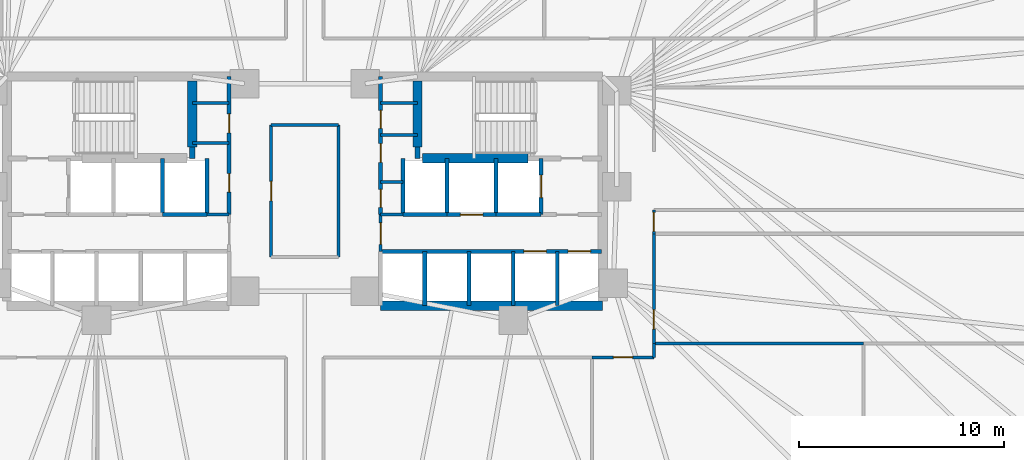
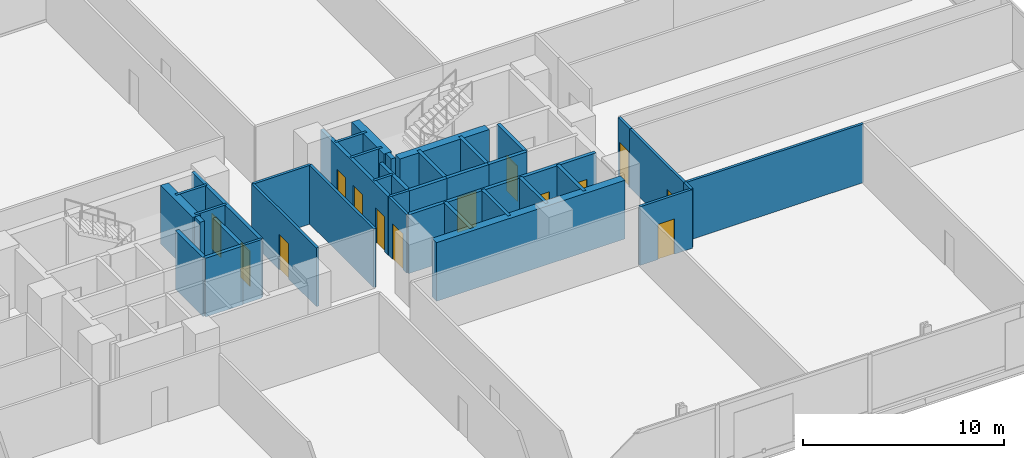
# One storey, part 13 of 17: 39 walls, 14 doors, 14 openings.
"""IFC4 building model written with IfcOpenShell, lengths in metres."""

from ifc_helpers import new_model, si_unit, direction, frame, frame_2d, origin, place, context, subcontext, project, spatial, rectangle, extrude, material, layer, layer_set, type_object, element, fill, save


model = new_model("IFC4")

# Units and contexts
model_context = context("Model", 3, precision=1e-05, world=origin(), true_north=direction((0.0, 1.0)))
body_context = subcontext(model_context, "Body", "Model", "MODEL_VIEW")
ifc_project = project(units=[si_unit("LENGTHUNIT", "METRE"), si_unit("AREAUNIT", "SQUARE_METRE"), si_unit("VOLUMEUNIT", "CUBIC_METRE"), si_unit("PLANEANGLEUNIT", "RADIAN"), si_unit("MASSUNIT", "GRAM", prefix="KILO")], contexts=[model_context])

# Site, building, storey
site_placement = place(None, origin())
site = spatial("IfcSite", under=ifc_project, at=site_placement, CompositionType="ELEMENT")
building_placement = place(site_placement, origin())
building = spatial("IfcBuilding", under=site, at=building_placement, Name="Menara Jurai Vektor", CompositionType="ELEMENT")
storey_placement = place(building_placement, frame((0.0, 0.0, 18.0)))
storey = spatial("IfcBuildingStorey", under=building, at=storey_placement, Name="L03", CompositionType="ELEMENT", Elevation=18.0)

# Walls
ifc_material_1 = material(Name="Concrete C40/50", Category="concrete")
ifc_layer_1 = layer(ifc_material_1, 0.25)
ifc_layer_set_1 = layer_set([ifc_layer_1], Name="Concrete C40/50")
wall_type_1 = type_object("IfcWallType", Name="INT-WALL-CORE-250", PredefinedType="STANDARD", material=ifc_layer_set_1)
for number, where, z_axis, x_axis, name in (
    (1, (-5.5, 1.60009765625, 0.0), (0.0, 0.0, 1.0), (0.0, 1.0, 0.0), "Interior Wall IW-250 L03"),
    (2, (5.5, 1.60009765625, 0.0), (0.0, 0.0, 1.0), (0.0, 1.0, 0.0), "Interior Wall IW-250 L03"),
):
    element("IfcWall", number, at=place(storey_placement, frame(where, z_axis=z_axis, x_axis=x_axis)), inside=storey, type_object=wall_type_1, Name=name, PredefinedType="STANDARD", context=body_context, shape_type="SweptSolid", body=[
        extrude(rectangle(XDim=0.5498046875, YDim=0.25, at=frame_2d((0.27490234375, 0.0))), origin(), (0.0, 0.0, 1.0), 3.574951171875),
    ])

# Wall, opening, door
wall_1_placement = place(storey_placement, frame((11.550048828125, -1.14990234375, 0.0), z_axis=(0.0, 0.0, 1.0), x_axis=(0.0, 1.0, 0.0)))
wall_1 = element("IfcWall", 3, at=wall_1_placement, inside=storey, type_object=wall_type_1, Name="Interior Wall IW-250 L03", PredefinedType="STANDARD", context=body_context, shape_type="SweptSolid", body=[
    extrude(rectangle(XDim=2.75, YDim=0.199951171875, at=frame_2d((1.375, 0.0))), origin(), (0.0, 0.0, 1.0), 3.574951171875),
])
opening_1_placement = place(wall_1_placement, frame((0.824951171875, 0.0, 0.0)))
opening_1 = element("IfcOpeningElement", 4, at=opening_1_placement, cuts=wall_1, Name="Opening LD-L03-FL2", PredefinedType="OPENING", context=body_context, shape_type="SweptSolid", body=[
    extrude(rectangle(XDim=1.10009765625, YDim=2.14990234375, at=frame_2d((0.550048828125, 1.074951171875))), frame((0.0, 0.10986328125, 0.0), z_axis=(0.0, -1.0, 0.0), x_axis=(1.0, 0.0, 0.0)), (0.0, 0.0, 1.0), 0.219970703125),
])
ifc_material_2 = material(Name="Stainless Steel Sliding Lift Landing Door", Category="steel")
door_type_1 = type_object("IfcDoorType", Name="DR-LIFT-FIRE-1100", OperationType="NOTDEFINED", PredefinedType="DOOR", material=ifc_material_2)
door_1_placement = place(opening_1_placement, origin())
door_1 = element("IfcDoor", 5, at=door_1_placement, inside=storey, type_object=door_type_1, Name="Lift Landing Door FL2 L03", OperationType="SLIDING_TO_RIGHT", OverallHeight=2.14990234375, OverallWidth=1.10009765625, PredefinedType="DOOR", context=body_context, shape_type="SweptSolid", body=[
    extrude(rectangle(XDim=1.10009765625, YDim=2.14990234375, at=frame_2d((0.550048828125, 1.074951171875))), frame((0.0, 0.02490234375, 0.0), z_axis=(0.0, -1.0, 0.0), x_axis=(1.0, 0.0, 0.0)), (0.0, 0.0, 1.0), 0.050048828125),
])
fill(opening_1, door_1)

# Walls
wall_2_placement = place(storey_placement, frame((9.35009765625, -1.14990234375, 0.0), z_axis=(0.0, 0.0, 1.0), x_axis=(0.0, 1.0, 0.0)))
element("IfcWall", 6, at=wall_2_placement, inside=storey, type_object=wall_type_1, Name="Interior Wall IW-250 L03", PredefinedType="STANDARD", context=body_context, shape_type="SweptSolid", body=[
    extrude(rectangle(XDim=2.75, YDim=0.199951171875, at=frame_2d((1.375, 0.0))), origin(), (0.0, 0.0, 1.0), 3.574951171875),
])
wall_3_placement = place(storey_placement, frame((9.35009765625, -1.14990234375, 0.0), z_axis=(0.0, 0.0, 1.0), x_axis=(1.0, 0.0, 0.0)))
element("IfcWall", 7, at=wall_3_placement, inside=storey, type_object=wall_type_1, Name="Interior Wall IW-250 L03", PredefinedType="STANDARD", context=body_context, shape_type="SweptSolid", body=[
    extrude(rectangle(XDim=2.199951171875, YDim=0.199951171875, at=frame_2d((1.10009765625, 0.0))), origin(), (0.0, 0.0, 1.0), 3.574951171875),
])
ifc_material_3 = material(Name="Gypsum Fireboard Partition", Category="gypsum")
ifc_layer_2 = layer(ifc_material_3, 0.14990234375)
ifc_layer_set_2 = layer_set([ifc_layer_2], Name="Gypsum Fireboard Partition")
wall_type_2 = type_object("IfcWallType", Name="INT-WALL-CORR-150", PredefinedType="PARTITIONING", material=ifc_layer_set_2)
wall_4_placement = place(storey_placement, frame((-4.7900390625, -1.14990234375, 0.0), z_axis=(0.0, 0.0, 1.0), x_axis=(1.0, 0.0, 0.0)))
element("IfcWall", 8, at=wall_4_placement, inside=storey, type_object=wall_type_2, Name="Interior Wall IW-150 L03", PredefinedType="PARTITIONING", context=body_context, shape_type="SweptSolid", body=[
    extrude(rectangle(XDim=1.090087890625, YDim=0.14990234375, at=frame_2d((0.544921875, 0.0))), origin(), (0.0, 0.0, 1.0), 3.574951171875),
])

# Wall, opening, door
wall_5_placement = place(storey_placement, frame((3.699951171875, -2.949951171875, 0.0), z_axis=(0.0, 0.0, 1.0), x_axis=(0.0, 1.0, 0.0)))
wall_5 = element("IfcWall", 9, at=wall_5_placement, inside=storey, type_object=wall_type_2, Name="Interior Wall IW-150 L03", PredefinedType="PARTITIONING", context=body_context, shape_type="SweptSolid", body=[
    extrude(rectangle(XDim=1.800048828125, YDim=0.14990234375, at=frame_2d((0.89990234375, 0.0))), origin(), (0.0, 0.0, 1.0), 3.574951171875),
])
opening_2_placement = place(wall_5_placement, frame((0.35009765625, 0.0, 0.0)))
opening_2 = element("IfcOpeningElement", 10, at=opening_2_placement, cuts=wall_5, Name="Opening D-L03-LLE", PredefinedType="OPENING", context=body_context, shape_type="SweptSolid", body=[
    extrude(rectangle(XDim=1.050048828125, YDim=2.179931640625, at=frame_2d((0.52490234375, 1.08984375))), frame((0.0, 0.0849609375, 0.0), z_axis=(0.0, -1.0, 0.0), x_axis=(1.0, 0.0, 0.0)), (0.0, 0.0, 1.0), 0.169921875),
])
ifc_material_4 = material(Name="Fire-Rated Timber Door", Category="wood")
door_type_2 = type_object("IfcDoorType", Name="DR-LOBBY-1050", OperationType="NOTDEFINED", PredefinedType="DOOR", material=ifc_material_4)
door_2_placement = place(opening_2_placement, frame((1.050048828125, 0.0, 0.0), z_axis=(0.0, 0.0, 1.0), x_axis=(-1.0, 0.0, 0.0)))
door_2 = element("IfcDoor", 11, at=door_2_placement, inside=storey, type_object=door_type_2, Name="Lift Lobby Corridor Door E L03", OperationType="SINGLE_SWING_RIGHT", OverallHeight=2.179931640625, OverallWidth=1.050048828125, PredefinedType="DOOR", context=body_context, shape_type="SweptSolid", body=[
    extrude(rectangle(XDim=1.050048828125, YDim=2.179931640625, at=frame_2d((0.52490234375, 1.08984375))), frame((0.0, 0.02490234375, 0.0), z_axis=(0.0, -1.0, 0.0), x_axis=(1.0, 0.0, 0.0)), (0.0, 0.0, 1.0), 0.050048828125),
])
fill(opening_2, door_2)

# Walls
wall_6_placement = place(storey_placement, frame((3.699951171875, -1.14990234375, 0.0), z_axis=(0.0, 0.0, 1.0), x_axis=(1.0, 0.0, 0.0)))
element("IfcWall", 12, at=wall_6_placement, inside=storey, type_object=wall_type_2, Name="Interior Wall IW-150 L03", PredefinedType="PARTITIONING", context=body_context, shape_type="SweptSolid", body=[
    extrude(rectangle(XDim=1.090087890625, YDim=0.14990234375, at=frame_2d((0.544921875, 0.0))), origin(), (0.0, 0.0, 1.0), 3.574951171875),
])
for number, where, z_axis, x_axis, name in (
    (13, (-5.5, 4.300048828125, 0.0), (0.0, 0.0, 1.0), (1.0, 0.0, 0.0), "Interior Wall IW-150 L03"),
    (14, (-5.5, 2.35009765625, 0.0), (0.0, 0.0, 1.0), (1.0, 0.0, 0.0), "Interior Wall IW-150 L03"),
    (15, (3.699951171875, 4.300048828125, 0.0), (0.0, 0.0, 1.0), (1.0, 0.0, 0.0), "Interior Wall IW-150 L03"),
):
    element("IfcWall", number, at=place(storey_placement, frame(where, z_axis=z_axis, x_axis=x_axis)), inside=storey, type_object=wall_type_2, Name=name, PredefinedType="PARTITIONING", context=body_context, shape_type="SweptSolid", body=[
        extrude(rectangle(XDim=1.800048828125, YDim=0.14990234375, at=frame_2d((0.89990234375, 0.0))), origin(), (0.0, 0.0, 1.0), 3.574951171875),
    ])
wall_7_placement = place(storey_placement, frame((3.699951171875, 0.449951171875, 0.0), z_axis=(0.0, 0.0, 1.0), x_axis=(1.0, 0.0, 0.0)))
element("IfcWall", 16, at=wall_7_placement, inside=storey, type_object=wall_type_2, Name="Interior Wall IW-150 L03", PredefinedType="PARTITIONING", context=body_context, shape_type="SweptSolid", body=[
    extrude(rectangle(XDim=1.090087890625, YDim=0.14990234375, at=frame_2d((0.544921875, 0.0))), origin(), (0.0, 0.0, 1.0), 3.574951171875),
])
wall_8_placement = place(storey_placement, frame((3.699951171875, 2.75, 0.0), z_axis=(0.0, 0.0, 1.0), x_axis=(1.0, 0.0, 0.0)))
element("IfcWall", 17, at=wall_8_placement, inside=storey, type_object=wall_type_2, Name="Interior Wall IW-150 L03", PredefinedType="PARTITIONING", context=body_context, shape_type="SweptSolid", body=[
    extrude(rectangle(XDim=1.800048828125, YDim=0.14990234375, at=frame_2d((0.89990234375, 0.0))), origin(), (0.0, 0.0, 1.0), 3.574951171875),
])

# Wall, opening, door
wall_9_placement = place(storey_placement, frame((-1.64990234375, -3.22998046875, 0.0), z_axis=(0.0, 0.0, 1.0), x_axis=(0.0, 1.0, 0.0)))
wall_9 = element("IfcWall", 18, at=wall_9_placement, inside=storey, type_object=wall_type_2, Name="Interior Wall IW-150 L03", PredefinedType="PARTITIONING", context=body_context, shape_type="SweptSolid", body=[
    extrude(rectangle(XDim=6.4599609375, YDim=0.14990234375, at=frame_2d((3.22998046875, 0.0))), origin(), (0.0, 0.0, 1.0), 3.574951171875),
])
opening_3_placement = place(wall_9_placement, frame((2.7548828125, 0.0, 0.0)))
opening_3 = element("IfcOpeningElement", 19, at=opening_3_placement, cuts=wall_9, Name="Opening D03-06", PredefinedType="OPENING", context=body_context, shape_type="SweptSolid", body=[
    extrude(rectangle(XDim=0.949951171875, YDim=2.14990234375, at=frame_2d((0.47509765625, 1.074951171875))), frame((0.0, 0.0849609375, 0.0), z_axis=(0.0, -1.0, 0.0), x_axis=(1.0, 0.0, 0.0)), (0.0, 0.0, 1.0), 0.169921875),
])
ifc_material_5 = material(Name="Solid Core Timber Fire Door", Category="wood")
door_type_3 = type_object("IfcDoorType", Name="DR-ENTRY-950", OperationType="NOTDEFINED", PredefinedType="DOOR", material=ifc_material_5)
door_3_placement = place(opening_3_placement, origin())
door_3 = element("IfcDoor", 20, at=door_3_placement, inside=storey, type_object=door_type_3, Name="Interior Door D03-06", OperationType="SINGLE_SWING_LEFT", OverallHeight=2.14990234375, OverallWidth=0.949951171875, PredefinedType="DOOR", context=body_context, shape_type="SweptSolid", body=[
    extrude(rectangle(XDim=0.949951171875, YDim=2.14990234375, at=frame_2d((0.47509765625, 1.074951171875))), frame((0.0, 0.02490234375, 0.0), z_axis=(0.0, -1.0, 0.0), x_axis=(1.0, 0.0, 0.0)), (0.0, 0.0, 1.0), 0.050048828125),
])
fill(opening_3, door_3)

# Walls
wall_10_placement = place(storey_placement, frame((-1.64990234375, 3.22998046875, 0.0), z_axis=(0.0, 0.0, 1.0), x_axis=(1.0, 0.0, 0.0)))
element("IfcWall", 21, at=wall_10_placement, inside=storey, type_object=wall_type_2, Name="Interior Wall IW-150 L03", PredefinedType="PARTITIONING", context=body_context, shape_type="SweptSolid", body=[
    extrude(rectangle(XDim=3.2998046875, YDim=0.14990234375, at=frame_2d((1.64990234375, 0.0))), origin(), (0.0, 0.0, 1.0), 3.574951171875),
])
wall_11_placement = place(storey_placement, frame((1.64990234375, -3.22998046875, 0.0), z_axis=(0.0, 0.0, 1.0), x_axis=(0.0, 1.0, 0.0)))
element("IfcWall", 22, at=wall_11_placement, inside=storey, type_object=wall_type_2, Name="Interior Wall IW-150 L03", PredefinedType="PARTITIONING", context=body_context, shape_type="SweptSolid", body=[
    extrude(rectangle(XDim=6.4599609375, YDim=0.14990234375, at=frame_2d((3.22998046875, 0.0))), origin(), (0.0, 0.0, 1.0), 3.574951171875),
])

# Wall, opening, door
wall_12_placement = place(storey_placement, frame((14.0400390625, -8.1298828125, 0.0), z_axis=(0.0, 0.0, 1.0), x_axis=(1.0, 0.0, 0.0)))
wall_12 = element("IfcWall", 23, at=wall_12_placement, inside=storey, type_object=wall_type_2, Name="Interior Wall IW-150 L03", PredefinedType="PARTITIONING", context=body_context, shape_type="SweptSolid", body=[
    extrude(rectangle(XDim=3.01904296875, YDim=0.14990234375, at=frame_2d((1.509521484375, 0.0))), origin(), (0.0, 0.0, 1.0), 3.574951171875),
])
opening_4_placement = place(wall_12_placement, frame((1.034423828125, 0.0, 0.0)))
opening_4 = element("IfcOpeningElement", 24, at=opening_4_placement, cuts=wall_12, Name="Opening D03-14", PredefinedType="OPENING", context=body_context, shape_type="SweptSolid", body=[
    extrude(rectangle(XDim=0.949951171875, YDim=2.14990234375, at=frame_2d((0.47509765625, 1.074951171875))), frame((0.0, 0.0849609375, 0.0), z_axis=(0.0, -1.0, 0.0), x_axis=(1.0, 0.0, 0.0)), (0.0, 0.0, 1.0), 0.169921875),
])
door_4_placement = place(opening_4_placement, origin())
door_4 = element("IfcDoor", 25, at=door_4_placement, inside=storey, type_object=door_type_3, Name="Interior Door D03-14", OperationType="SINGLE_SWING_LEFT", OverallHeight=2.14990234375, OverallWidth=0.949951171875, PredefinedType="DOOR", context=body_context, shape_type="SweptSolid", body=[
    extrude(rectangle(XDim=0.949951171875, YDim=2.14990234375, at=frame_2d((0.47509765625, 1.074951171875))), frame((0.0, 0.02490234375, 0.0), z_axis=(0.0, -1.0, 0.0), x_axis=(1.0, 0.0, 0.0)), (0.0, 0.0, 1.0), 0.050048828125),
])
fill(opening_4, door_4)

# Wall
wall_13_placement = place(storey_placement, frame((17.05908203125, -8.1298828125, 0.0), z_axis=(0.0, 0.0, 1.0), x_axis=(0.0, 1.0, 0.0)))
element("IfcWall", 26, at=wall_13_placement, inside=storey, type_object=wall_type_2, Name="Interior Wall IW-150 L03", PredefinedType="PARTITIONING", context=body_context, shape_type="SweptSolid", body=[
    extrude(rectangle(XDim=0.679931640625, YDim=0.14990234375, at=frame_2d((0.33984375, 0.0))), origin(), (0.0, 0.0, 1.0), 3.574951171875),
])

# Wall, opening, door
wall_14_placement = place(storey_placement, frame((17.05908203125, -7.449951171875, 0.0), z_axis=(0.0, 0.0, 1.0), x_axis=(0.0, 1.0, 0.0)))
wall_14 = element("IfcWall", 27, at=wall_14_placement, inside=storey, type_object=wall_type_2, Name="Interior Wall IW-150 L03", PredefinedType="PARTITIONING", context=body_context, shape_type="SweptSolid", body=[
    extrude(rectangle(XDim=5.364013671875, YDim=0.14990234375, at=frame_2d((2.68212890625, 0.0))), origin(), (0.0, 0.0, 1.0), 3.574951171875),
])
opening_5_placement = place(wall_14_placement, frame((0.705078125, 0.0, 0.0)))
opening_5 = element("IfcOpeningElement", 28, at=opening_5_placement, cuts=wall_14, Name="Opening D03-18", PredefinedType="OPENING", context=body_context, shape_type="SweptSolid", body=[
    extrude(rectangle(XDim=0.949951171875, YDim=2.14990234375, at=frame_2d((0.47509765625, 1.074951171875))), frame((0.0, 0.0849609375, 0.0), z_axis=(0.0, -1.0, 0.0), x_axis=(1.0, 0.0, 0.0)), (0.0, 0.0, 1.0), 0.169921875),
])
door_5_placement = place(opening_5_placement, origin())
door_5 = element("IfcDoor", 29, at=door_5_placement, inside=storey, type_object=door_type_3, Name="Interior Door D03-18", OperationType="SINGLE_SWING_LEFT", OverallHeight=2.14990234375, OverallWidth=0.949951171875, PredefinedType="DOOR", context=body_context, shape_type="SweptSolid", body=[
    extrude(rectangle(XDim=0.949951171875, YDim=2.14990234375, at=frame_2d((0.47509765625, 1.074951171875))), frame((0.0, 0.02490234375, 0.0), z_axis=(0.0, -1.0, 0.0), x_axis=(1.0, 0.0, 0.0)), (0.0, 0.0, 1.0), 0.050048828125),
])
fill(opening_5, door_5)

wall_15_placement = place(storey_placement, frame((17.05908203125, -2.0859375, 0.0), z_axis=(0.0, 0.0, 1.0), x_axis=(0.0, 1.0, 0.0)))
wall_15 = element("IfcWall", 30, at=wall_15_placement, inside=storey, type_object=wall_type_2, Name="Interior Wall IW-150 L03", PredefinedType="PARTITIONING", context=body_context, shape_type="SweptSolid", body=[
    extrude(rectangle(XDim=1.166015625, YDim=0.14990234375, at=frame_2d((0.5830078125, 0.0))), origin(), (0.0, 0.0, 1.0), 3.574951171875),
])
opening_6_placement = place(wall_15_placement, frame((0.1201171875, 0.0, 0.0)))
opening_6 = element("IfcOpeningElement", 31, at=opening_6_placement, cuts=wall_15, Name="Opening D03-19", PredefinedType="OPENING", context=body_context, shape_type="SweptSolid", body=[
    extrude(rectangle(XDim=0.926025390625, YDim=2.14990234375, at=frame_2d((0.462890625, 1.074951171875))), frame((0.0, 0.0849609375, 0.0), z_axis=(0.0, -1.0, 0.0), x_axis=(1.0, 0.0, 0.0)), (0.0, 0.0, 1.0), 0.169921875),
])
door_6_placement = place(opening_6_placement, origin())
door_6 = element("IfcDoor", 32, at=door_6_placement, inside=storey, type_object=door_type_3, Name="Interior Door D03-19", OperationType="SINGLE_SWING_RIGHT", OverallHeight=2.14990234375, OverallWidth=0.926025390625, PredefinedType="DOOR", context=body_context, shape_type="SweptSolid", body=[
    extrude(rectangle(XDim=0.926025390625, YDim=2.14990234375, at=frame_2d((0.462890625, 1.074951171875))), frame((0.0, 0.02490234375, 0.0), z_axis=(0.0, -1.0, 0.0), x_axis=(1.0, 0.0, 0.0)), (0.0, 0.0, 1.0), 0.050048828125),
])
fill(opening_6, door_6)

# Wall
wall_16_placement = place(storey_placement, frame((17.05908203125, -7.449951171875, 0.0), z_axis=(0.0, 0.0, 1.0), x_axis=(1.0, 0.0, 0.0)))
element("IfcWall", 33, at=wall_16_placement, inside=storey, type_object=wall_type_2, Name="Interior Wall IW-150 L03", PredefinedType="PARTITIONING", context=body_context, shape_type="SweptSolid", body=[
    extrude(rectangle(XDim=10.240966796875, YDim=0.14990234375, at=frame_2d((5.12060546875, 0.0))), origin(), (0.0, 0.0, 1.0), 3.574951171875),
])

# Wall, openings, doors
ifc_layer_3 = layer(ifc_material_1, 0.199951171875)
ifc_layer_set_3 = layer_set([ifc_layer_3], Name="Concrete C40/50")
wall_type_3 = type_object("IfcWallType", Name="INT-WALL-SHAFT-200", PredefinedType="STANDARD", material=ifc_layer_set_3)
wall_17_placement = place(storey_placement, frame((-3.699951171875, -1.14990234375, 0.0), z_axis=(0.0, 0.0, 1.0), x_axis=(0.0, 1.0, 0.0)))
wall_17 = element("IfcWall", 34, at=wall_17_placement, inside=storey, type_object=wall_type_3, Name="Interior Wall IW-200 L03", PredefinedType="STANDARD", context=body_context, shape_type="SweptSolid", body=[
    extrude(rectangle(XDim=6.75, YDim=0.199951171875, at=frame_2d((3.375, 0.0))), origin(), (0.0, 0.0, 1.0), 3.574951171875),
])
opening_7_placement = place(wall_17_placement, frame((1.10009765625, 0.0, 0.0)))
opening_7 = element("IfcOpeningElement", 35, at=opening_7_placement, cuts=wall_17, Name="Opening D03-01", PredefinedType="OPENING", context=body_context, shape_type="SweptSolid", body=[
    extrude(rectangle(XDim=0.89990234375, YDim=2.14990234375, at=frame_2d((0.449951171875, 1.074951171875))), frame((0.0, 0.10986328125, 0.0), z_axis=(0.0, -1.0, 0.0), x_axis=(1.0, 0.0, 0.0)), (0.0, 0.0, 1.0), 0.219970703125),
])
opening_8_placement = place(wall_17_placement, frame((4.0, 0.0, 0.0)))
opening_8 = element("IfcOpeningElement", 36, at=opening_8_placement, cuts=wall_17, Name="Opening D03-02", PredefinedType="OPENING", context=body_context, shape_type="SweptSolid", body=[
    extrude(rectangle(XDim=0.919921875, YDim=2.14990234375, at=frame_2d((0.4599609375, 1.074951171875))), frame((0.0, 0.10986328125, 0.0), z_axis=(0.0, -1.0, 0.0), x_axis=(1.0, 0.0, 0.0)), (0.0, 0.0, 1.0), 0.219970703125),
])
door_7_placement = place(opening_7_placement, origin())
door_7 = element("IfcDoor", 37, at=door_7_placement, inside=storey, type_object=door_type_3, Name="Interior Door D03-01", OperationType="SINGLE_SWING_LEFT", OverallHeight=2.14990234375, OverallWidth=0.89990234375, PredefinedType="DOOR", context=body_context, shape_type="SweptSolid", body=[
    extrude(rectangle(XDim=0.89990234375, YDim=2.14990234375, at=frame_2d((0.449951171875, 1.074951171875))), frame((0.0, 0.02490234375, 0.0), z_axis=(0.0, -1.0, 0.0), x_axis=(1.0, 0.0, 0.0)), (0.0, 0.0, 1.0), 0.050048828125),
])
fill(opening_7, door_7)
door_8_placement = place(opening_8_placement, origin())
door_8 = element("IfcDoor", 38, at=door_8_placement, inside=storey, type_object=door_type_3, Name="Interior Door D03-02", OperationType="SINGLE_SWING_LEFT", OverallHeight=2.14990234375, OverallWidth=0.919921875, PredefinedType="DOOR", context=body_context, shape_type="SweptSolid", body=[
    extrude(rectangle(XDim=0.919921875, YDim=2.14990234375, at=frame_2d((0.4599609375, 1.074951171875))), frame((0.0, 0.02490234375, 0.0), z_axis=(0.0, -1.0, 0.0), x_axis=(1.0, 0.0, 0.0)), (0.0, 0.0, 1.0), 0.050048828125),
])
fill(opening_8, door_8)

# Walls
for number, where, z_axis, x_axis, name in (
    (39, (-6.949951171875, -1.14990234375, 0.0), (0.0, 0.0, 1.0), (0.0, 1.0, 0.0), "Interior Wall IW-200 L03"),
    (40, (-4.7900390625, -1.14990234375, 0.0), (0.0, 0.0, 1.0), (0.0, 1.0, 0.0), "Interior Wall IW-200 L03"),
):
    element("IfcWall", number, at=place(storey_placement, frame(where, z_axis=z_axis, x_axis=x_axis)), inside=storey, type_object=wall_type_3, Name=name, PredefinedType="STANDARD", context=body_context, shape_type="SweptSolid", body=[
        extrude(rectangle(XDim=2.75, YDim=0.199951171875, at=frame_2d((1.375, 0.0))), origin(), (0.0, 0.0, 1.0), 3.574951171875),
    ])
wall_18_placement = place(storey_placement, frame((-6.949951171875, -1.14990234375, 0.0), z_axis=(0.0, 0.0, 1.0), x_axis=(1.0, 0.0, 0.0)))
element("IfcWall", 41, at=wall_18_placement, inside=storey, type_object=wall_type_3, Name="Interior Wall IW-200 L03", PredefinedType="STANDARD", context=body_context, shape_type="SweptSolid", body=[
    extrude(rectangle(XDim=2.159912109375, YDim=0.199951171875, at=frame_2d((1.080078125, 0.0))), origin(), (0.0, 0.0, 1.0), 3.574951171875),
])

# Wall, openings, doors
wall_19_placement = place(storey_placement, frame((3.699951171875, -1.14990234375, 0.0), z_axis=(0.0, 0.0, 1.0), x_axis=(0.0, 1.0, 0.0)))
wall_19 = element("IfcWall", 42, at=wall_19_placement, inside=storey, type_object=wall_type_3, Name="Interior Wall IW-200 L03", PredefinedType="STANDARD", context=body_context, shape_type="SweptSolid", body=[
    extrude(rectangle(XDim=6.75, YDim=0.199951171875, at=frame_2d((3.375, 0.0))), origin(), (0.0, 0.0, 1.0), 3.574951171875),
])
opening_9_placement = place(wall_19_placement, frame((0.35009765625, 0.0, 0.0)))
opening_9 = element("IfcOpeningElement", 43, at=opening_9_placement, cuts=wall_19, Name="Opening D03-03", PredefinedType="OPENING", context=body_context, shape_type="SweptSolid", body=[
    extrude(rectangle(XDim=0.8798828125, YDim=2.14990234375, at=frame_2d((0.43994140625, 1.074951171875))), frame((0.0, 0.10986328125, 0.0), z_axis=(0.0, -1.0, 0.0), x_axis=(1.0, 0.0, 0.0)), (0.0, 0.0, 1.0), 0.219970703125),
])
opening_10_placement = place(wall_19_placement, frame((2.550048828125, 0.0, 0.0)))
opening_10 = element("IfcOpeningElement", 44, at=opening_10_placement, cuts=wall_19, Name="Opening D03-04", PredefinedType="OPENING", context=body_context, shape_type="SweptSolid", body=[
    extrude(rectangle(XDim=0.919921875, YDim=2.14990234375, at=frame_2d((0.4599609375, 1.074951171875))), frame((0.0, 0.10986328125, 0.0), z_axis=(0.0, -1.0, 0.0), x_axis=(1.0, 0.0, 0.0)), (0.0, 0.0, 1.0), 0.219970703125),
])
opening_11_placement = place(wall_19_placement, frame((4.219970703125, 0.0, 0.0)))
opening_11 = element("IfcOpeningElement", 45, at=opening_11_placement, cuts=wall_19, Name="Opening D03-05", PredefinedType="OPENING", context=body_context, shape_type="SweptSolid", body=[
    extrude(rectangle(XDim=0.8798828125, YDim=2.14990234375, at=frame_2d((0.43994140625, 1.074951171875))), frame((0.0, 0.10986328125, 0.0), z_axis=(0.0, -1.0, 0.0), x_axis=(1.0, 0.0, 0.0)), (0.0, 0.0, 1.0), 0.219970703125),
])
door_9_placement = place(opening_9_placement, origin())
door_9 = element("IfcDoor", 46, at=door_9_placement, inside=storey, type_object=door_type_3, Name="Interior Door D03-03", OperationType="SINGLE_SWING_RIGHT", OverallHeight=2.14990234375, OverallWidth=0.8798828125, PredefinedType="DOOR", context=body_context, shape_type="SweptSolid", body=[
    extrude(rectangle(XDim=0.8798828125, YDim=2.14990234375, at=frame_2d((0.43994140625, 1.074951171875))), frame((0.0, 0.02490234375, 0.0), z_axis=(0.0, -1.0, 0.0), x_axis=(1.0, 0.0, 0.0)), (0.0, 0.0, 1.0), 0.050048828125),
])
fill(opening_9, door_9)
door_10_placement = place(opening_10_placement, origin())
door_10 = element("IfcDoor", 47, at=door_10_placement, inside=storey, type_object=door_type_3, Name="Interior Door D03-04", OperationType="SINGLE_SWING_RIGHT", OverallHeight=2.14990234375, OverallWidth=0.919921875, PredefinedType="DOOR", context=body_context, shape_type="SweptSolid", body=[
    extrude(rectangle(XDim=0.919921875, YDim=2.14990234375, at=frame_2d((0.4599609375, 1.074951171875))), frame((0.0, 0.02490234375, 0.0), z_axis=(0.0, -1.0, 0.0), x_axis=(1.0, 0.0, 0.0)), (0.0, 0.0, 1.0), 0.050048828125),
])
fill(opening_10, door_10)
door_11_placement = place(opening_11_placement, origin())
door_11 = element("IfcDoor", 48, at=door_11_placement, inside=storey, type_object=door_type_3, Name="Interior Door D03-05", OperationType="SINGLE_SWING_RIGHT", OverallHeight=2.14990234375, OverallWidth=0.8798828125, PredefinedType="DOOR", context=body_context, shape_type="SweptSolid", body=[
    extrude(rectangle(XDim=0.8798828125, YDim=2.14990234375, at=frame_2d((0.43994140625, 1.074951171875))), frame((0.0, 0.02490234375, 0.0), z_axis=(0.0, -1.0, 0.0), x_axis=(1.0, 0.0, 0.0)), (0.0, 0.0, 1.0), 0.050048828125),
])
fill(opening_11, door_11)

# Wall
wall_20_placement = place(storey_placement, frame((6.949951171875, -1.14990234375, 0.0), z_axis=(0.0, 0.0, 1.0), x_axis=(0.0, 1.0, 0.0)))
element("IfcWall", 49, at=wall_20_placement, inside=storey, type_object=wall_type_3, Name="Interior Wall IW-200 L03", PredefinedType="STANDARD", context=body_context, shape_type="SweptSolid", body=[
    extrude(rectangle(XDim=2.75, YDim=0.199951171875, at=frame_2d((1.375, 0.0))), origin(), (0.0, 0.0, 1.0), 3.574951171875),
])

# Wall, opening, door
wall_21_placement = place(storey_placement, frame((6.949951171875, -1.14990234375, 0.0), z_axis=(0.0, 0.0, 1.0), x_axis=(1.0, 0.0, 0.0)))
wall_21 = element("IfcWall", 50, at=wall_21_placement, inside=storey, type_object=wall_type_3, Name="Interior Wall IW-200 L03", PredefinedType="STANDARD", context=body_context, shape_type="SweptSolid", body=[
    extrude(rectangle(XDim=2.400146484375, YDim=0.199951171875, at=frame_2d((1.2001953125, 0.0))), origin(), (0.0, 0.0, 1.0), 3.574951171875),
])
opening_12_placement = place(wall_21_placement, frame((0.64990234375, 0.0, 0.0)))
opening_12 = element("IfcOpeningElement", 51, at=opening_12_placement, cuts=wall_21, Name="Opening LD-L03-SVL2", PredefinedType="OPENING", context=body_context, shape_type="SweptSolid", body=[
    extrude(rectangle(XDim=1.10009765625, YDim=2.14990234375, at=frame_2d((0.550048828125, 1.074951171875))), frame((0.0, 0.10986328125, 0.0), z_axis=(0.0, -1.0, 0.0), x_axis=(1.0, 0.0, 0.0)), (0.0, 0.0, 1.0), 0.219970703125),
])
ifc_material_6 = material(Name="Anodised Stainless Sliding Lift Landing Door", Category="steel")
door_type_4 = type_object("IfcDoorType", Name="DR-LIFT-PASS-1100", OperationType="NOTDEFINED", PredefinedType="DOOR", material=ifc_material_6)
door_12_placement = place(opening_12_placement, origin())
door_12 = element("IfcDoor", 52, at=door_12_placement, inside=storey, type_object=door_type_4, Name="Lift Landing Door SVL2 L03", OperationType="SLIDING_TO_RIGHT", OverallHeight=2.14990234375, OverallWidth=1.10009765625, PredefinedType="DOOR", context=body_context, shape_type="SweptSolid", body=[
    extrude(rectangle(XDim=1.10009765625, YDim=2.14990234375, at=frame_2d((0.550048828125, 1.074951171875))), frame((0.0, 0.02490234375, 0.0), z_axis=(0.0, -1.0, 0.0), x_axis=(1.0, 0.0, 0.0)), (0.0, 0.0, 1.0), 0.050048828125),
])
fill(opening_12, door_12)

# Walls
wall_22_placement = place(storey_placement, frame((4.7900390625, -1.14990234375, 0.0), z_axis=(0.0, 0.0, 1.0), x_axis=(0.0, 1.0, 0.0)))
element("IfcWall", 53, at=wall_22_placement, inside=storey, type_object=wall_type_3, Name="Interior Wall IW-200 L03", PredefinedType="STANDARD", context=body_context, shape_type="SweptSolid", body=[
    extrude(rectangle(XDim=2.75, YDim=0.199951171875, at=frame_2d((1.375, 0.0))), origin(), (0.0, 0.0, 1.0), 3.574951171875),
])
wall_23_placement = place(storey_placement, frame((4.7900390625, -1.14990234375, 0.0), z_axis=(0.0, 0.0, 1.0), x_axis=(1.0, 0.0, 0.0)))
element("IfcWall", 54, at=wall_23_placement, inside=storey, type_object=wall_type_3, Name="Interior Wall IW-200 L03", PredefinedType="STANDARD", context=body_context, shape_type="SweptSolid", body=[
    extrude(rectangle(XDim=2.159912109375, YDim=0.199951171875, at=frame_2d((1.080078125, 0.0))), origin(), (0.0, 0.0, 1.0), 3.574951171875),
])

# Wall, openings, doors
wall_24_placement = place(storey_placement, frame((3.699951171875, -2.949951171875, 0.0), z_axis=(0.0, 0.0, 1.0), x_axis=(1.0, 0.0, 0.0)))
wall_24 = element("IfcWall", 55, at=wall_24_placement, inside=storey, type_object=wall_type_3, Name="Interior Wall IW-200 L03", PredefinedType="STANDARD", context=body_context, shape_type="SweptSolid", body=[
    extrude(rectangle(XDim=10.800048828125, YDim=0.199951171875, at=frame_2d((5.39990234375, 0.0))), origin(), (0.0, 0.0, 1.0), 3.574951171875),
])
opening_13_placement = place(wall_24_placement, frame((7.010009765625, 0.0, 0.0)))
opening_13 = element("IfcOpeningElement", 56, at=opening_13_placement, cuts=wall_24, Name="Opening LD-L03-PL3", PredefinedType="OPENING", context=body_context, shape_type="SweptSolid", body=[
    extrude(rectangle(XDim=1.10009765625, YDim=2.14990234375, at=frame_2d((0.550048828125, 1.074951171875))), frame((0.0, 0.10986328125, 0.0), z_axis=(0.0, -1.0, 0.0), x_axis=(1.0, 0.0, 0.0)), (0.0, 0.0, 1.0), 0.219970703125),
])
opening_14_placement = place(wall_24_placement, frame((9.169921875, 0.0, 0.0)))
opening_14 = element("IfcOpeningElement", 57, at=opening_14_placement, cuts=wall_24, Name="Opening LD-L03-PL4", PredefinedType="OPENING", context=body_context, shape_type="SweptSolid", body=[
    extrude(rectangle(XDim=1.10009765625, YDim=2.14990234375, at=frame_2d((0.550048828125, 1.074951171875))), frame((0.0, 0.10986328125, 0.0), z_axis=(0.0, -1.0, 0.0), x_axis=(1.0, 0.0, 0.0)), (0.0, 0.0, 1.0), 0.219970703125),
])
door_13_placement = place(opening_13_placement, origin())
door_13 = element("IfcDoor", 58, at=door_13_placement, inside=storey, type_object=door_type_4, Name="Lift Landing Door PL3 L03", OperationType="SLIDING_TO_RIGHT", OverallHeight=2.14990234375, OverallWidth=1.10009765625, PredefinedType="DOOR", context=body_context, shape_type="SweptSolid", body=[
    extrude(rectangle(XDim=1.10009765625, YDim=2.14990234375, at=frame_2d((0.550048828125, 1.074951171875))), frame((0.0, 0.02490234375, 0.0), z_axis=(0.0, -1.0, 0.0), x_axis=(1.0, 0.0, 0.0)), (0.0, 0.0, 1.0), 0.050048828125),
])
fill(opening_13, door_13)
door_14_placement = place(opening_14_placement, origin())
door_14 = element("IfcDoor", 59, at=door_14_placement, inside=storey, type_object=door_type_4, Name="Lift Landing Door PL4 L03", OperationType="SLIDING_TO_LEFT", OverallHeight=2.14990234375, OverallWidth=1.10009765625, PredefinedType="DOOR", context=body_context, shape_type="SweptSolid", body=[
    extrude(rectangle(XDim=1.10009765625, YDim=2.14990234375, at=frame_2d((0.550048828125, 1.074951171875))), frame((0.0, 0.02490234375, 0.0), z_axis=(0.0, -1.0, 0.0), x_axis=(1.0, 0.0, 0.0)), (0.0, 0.0, 1.0), 0.050048828125),
])
fill(opening_14, door_14)

# Walls
wall_25_placement = place(storey_placement, frame((5.860107421875, -5.60009765625, 0.0), z_axis=(0.0, 0.0, 1.0), x_axis=(0.0, 1.0, 0.0)))
element("IfcWall", 60, at=wall_25_placement, inside=storey, type_object=wall_type_3, Name="Interior Wall IW-200 L03", PredefinedType="STANDARD", context=body_context, shape_type="SweptSolid", body=[
    extrude(rectangle(XDim=2.650146484375, YDim=0.199951171875, at=frame_2d((1.3251953125, 0.0))), origin(), (0.0, 0.0, 1.0), 3.574951171875),
])
for number, where, z_axis, x_axis, name in (
    (61, (12.340087890625, -5.60009765625, 0.0), (0.0, 0.0, 1.0), (0.0, 1.0, 0.0), "Interior Wall IW-200 L03"),
    (62, (10.179931640625, -5.60009765625, 0.0), (0.0, 0.0, 1.0), (0.0, 1.0, 0.0), "Interior Wall IW-200 L03"),
    (63, (8.02001953125, -5.60009765625, 0.0), (0.0, 0.0, 1.0), (0.0, 1.0, 0.0), "Interior Wall IW-200 L03"),
):
    element("IfcWall", number, at=place(storey_placement, frame(where, z_axis=z_axis, x_axis=x_axis)), inside=storey, type_object=wall_type_3, Name=name, PredefinedType="STANDARD", context=body_context, shape_type="SweptSolid", body=[
        extrude(rectangle(XDim=2.650146484375, YDim=0.179931640625, at=frame_2d((1.3251953125, 0.0))), origin(), (0.0, 0.0, 1.0), 3.574951171875),
    ])
ifc_material_7 = material(Name="Concrete C60/75", Category="concrete")
ifc_layer_4 = layer(ifc_material_7, 0.449951171875)
ifc_layer_set_4 = layer_set([ifc_layer_4], Name="Concrete C60/75")
wall_type_4 = type_object("IfcWallType", Name="STR-WALL-CORE450", PredefinedType="SHEAR", material=ifc_layer_set_4)
wall_26_placement = place(storey_placement, frame((-5.5, 2.14990234375, 0.0), z_axis=(0.0, 0.0, 1.0), x_axis=(0.0, 1.0, 0.0)))
element("IfcWall", 64, at=wall_26_placement, inside=storey, type_object=wall_type_4, Name="Core Shear Wall CW-W-ST L03", PredefinedType="SHEAR", context=body_context, shape_type="SweptSolid", body=[
    extrude(rectangle(XDim=3.22509765625, YDim=0.449951171875, at=frame_2d((1.612548828125, 0.0))), origin(), (0.0, 0.0, 1.0), 3.574951171875),
])
wall_27_placement = place(storey_placement, frame((3.699951171875, -5.60009765625, 0.0), z_axis=(0.0, 0.0, 1.0), x_axis=(1.0, 0.0, 0.0)))
element("IfcWall", 65, at=wall_27_placement, inside=storey, type_object=wall_type_4, Name="Core Shear Wall CW-E-S L03", PredefinedType="SHEAR", context=body_context, shape_type="SweptSolid", body=[
    extrude(rectangle(XDim=10.860107421875, YDim=0.449951171875, at=frame_2d((5.43017578125, 0.0))), origin(), (0.0, 0.0, 1.0), 3.574951171875),
])
wall_28_placement = place(storey_placement, frame((5.5, 2.14990234375, 0.0), z_axis=(0.0, 0.0, 1.0), x_axis=(0.0, 1.0, 0.0)))
element("IfcWall", 66, at=wall_28_placement, inside=storey, type_object=wall_type_4, Name="Core Shear Wall CW-E-ST L03", PredefinedType="SHEAR", context=body_context, shape_type="SweptSolid", body=[
    extrude(rectangle(XDim=3.22509765625, YDim=0.449951171875, at=frame_2d((1.612548828125, 0.0))), origin(), (0.0, 0.0, 1.0), 3.574951171875),
])
wall_29_placement = place(storey_placement, frame((5.75, 1.60009765625, 0.0), z_axis=(0.0, 0.0, 1.0), x_axis=(1.0, 0.0, 0.0)))
element("IfcWall", 67, at=wall_29_placement, inside=storey, type_object=wall_type_4, Name="Core Shear Wall CW-E-STS L03", PredefinedType="SHEAR", context=body_context, shape_type="SweptSolid", body=[
    extrude(rectangle(XDim=5.14990234375, YDim=0.449951171875, at=frame_2d((2.574951171875, 0.0))), origin(), (0.0, 0.0, 1.0), 3.574951171875),
])

save(model, "model.ifc")
